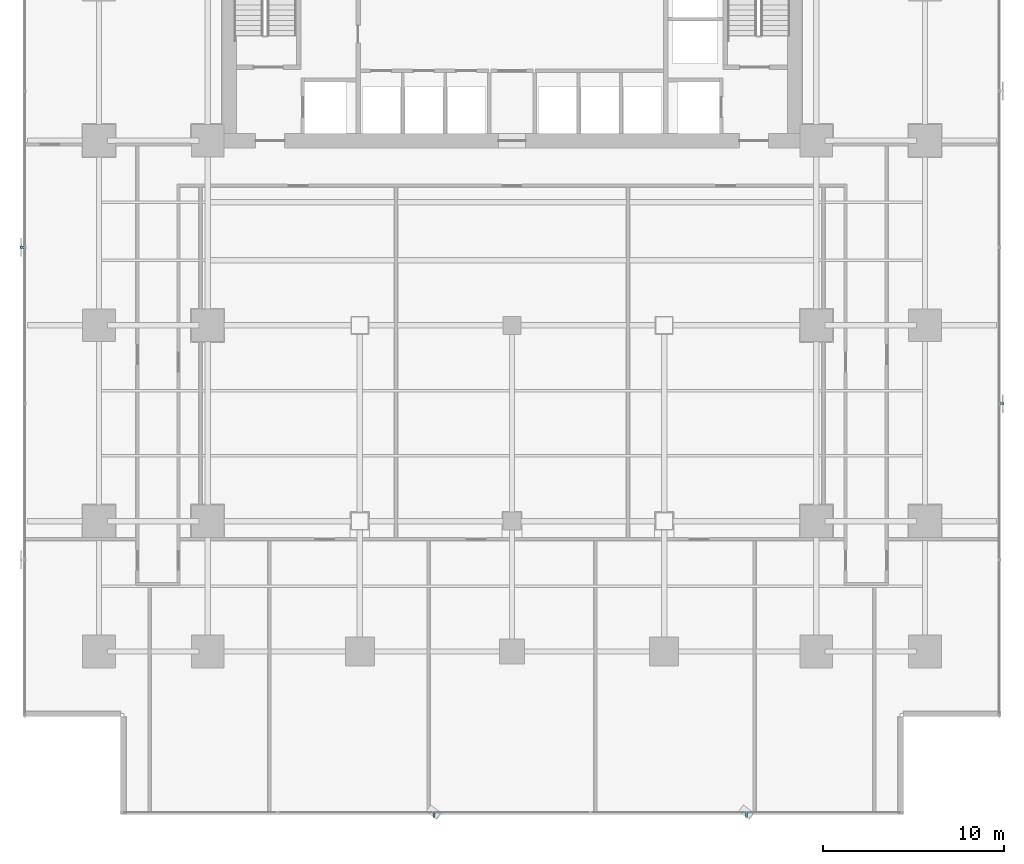
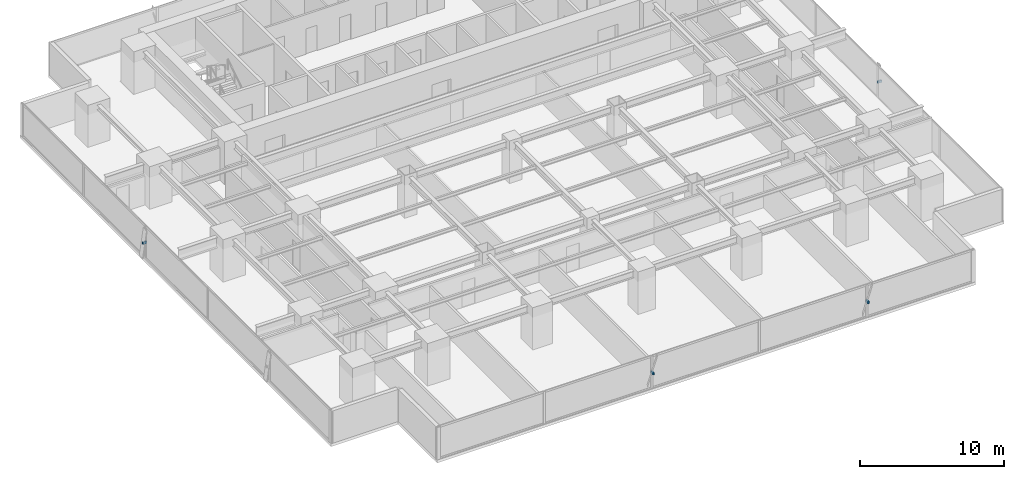
# One storey, part 28 of 34: 4 discrete accessories.
"""IFC4 building model written with IfcOpenShell, lengths in metres."""

from ifc_helpers import new_model, si_unit, direction, frame, origin, origin_2d, place, context, subcontext, project, spatial, rectangle, extrude, source, transform, mapped, material, material_profile, profile_set, type_object, element, save


model = new_model("IFC4")

# Units and contexts
model_context = context("Model", 3, precision=1e-05, world=origin(), true_north=direction((0.0, 1.0)))
body_context = subcontext(model_context, "Body", "Model", "MODEL_VIEW")
ifc_project = project(units=[si_unit("LENGTHUNIT", "METRE"), si_unit("AREAUNIT", "SQUARE_METRE"), si_unit("VOLUMEUNIT", "CUBIC_METRE"), si_unit("PLANEANGLEUNIT", "RADIAN"), si_unit("MASSUNIT", "GRAM", prefix="KILO")], contexts=[model_context])

# Site, building, storey
site_placement = place(None, origin())
site = spatial("IfcSite", under=ifc_project, at=site_placement, CompositionType="ELEMENT")
building_placement = place(site_placement, origin())
building = spatial("IfcBuilding", under=site, at=building_placement, Name="Sumidabori Civic Tower", CompositionType="ELEMENT")
storey_placement = place(building_placement, frame((0.0, 0.0, 56.0)))
storey = spatial("IfcBuildingStorey", under=building, at=storey_placement, Name="L14", CompositionType="ELEMENT", Elevation=56.0)

# Discrete accessories
ifc_material = material(Name="Stainless Steel Hairline Finish", Category="steel")
ifc_material_profile = material_profile(ifc_material, rectangle(XDim=0.1201171875, YDim=0.179931640625, at=origin_2d()), Name="STEEL BRACKET 180x120")
ifc_profile_set = profile_set([ifc_material_profile], Name="Stainless Steel Hairline Finish")
discrete_accessory_type = type_object("IfcDiscreteAccessoryType", Name="AC-BRK-180", PredefinedType="BRACKET", material=ifc_profile_set)
shared_shape = source(origin(), body_context, "Body", "SweptSolid", [
    extrude(rectangle(XDim=0.1201171875, YDim=0.179931640625, at=origin_2d()), origin(), (0.0, 0.0, 1.0), 0.329833984375),
])
for number, where, z_axis, x_axis, name in (
    (1, (-4.31396484375, -26.830078125, 1.360107421875), (0.0, -1.0, 0.0), (1.0, 0.0, 0.0), "Bronze Fin Fixing Bracket L14-02"),
    (2, (12.94189453125, -26.830078125, 1.360107421875), (0.0, -1.0, 0.0), (1.0, 0.0, 0.0), "Bronze Fin Fixing Bracket L14-04"),
    (3, (26.830078125, -4.31396484375, 1.360107421875), (1.0, 0.0, 0.0), (0.0, 1.0, 0.0), "Bronze Fin Fixing Bracket L14-02"),
    (4, (-26.830078125, 4.31396484375, 1.360107421875), (-1.0, 0.0, 0.0), (0.0, -1.0, 0.0), "Bronze Fin Fixing Bracket L14-02"),
):
    element("IfcDiscreteAccessory", number, at=place(storey_placement, frame(where, z_axis=z_axis, x_axis=x_axis)), inside=storey, type_object=discrete_accessory_type, Name=name, PredefinedType="BRACKET", context=body_context, shape_type="MappedRepresentation", body=[
        mapped(shared_shape, transform((0.0, 0.0, 0.0), x_axis=(1.0, 0.0, 0.0), y_axis=(0.0, 1.0, 0.0), z_axis=(0.0, 0.0, 1.0), scale=1.0)),
    ])

save(model, "model.ifc")
